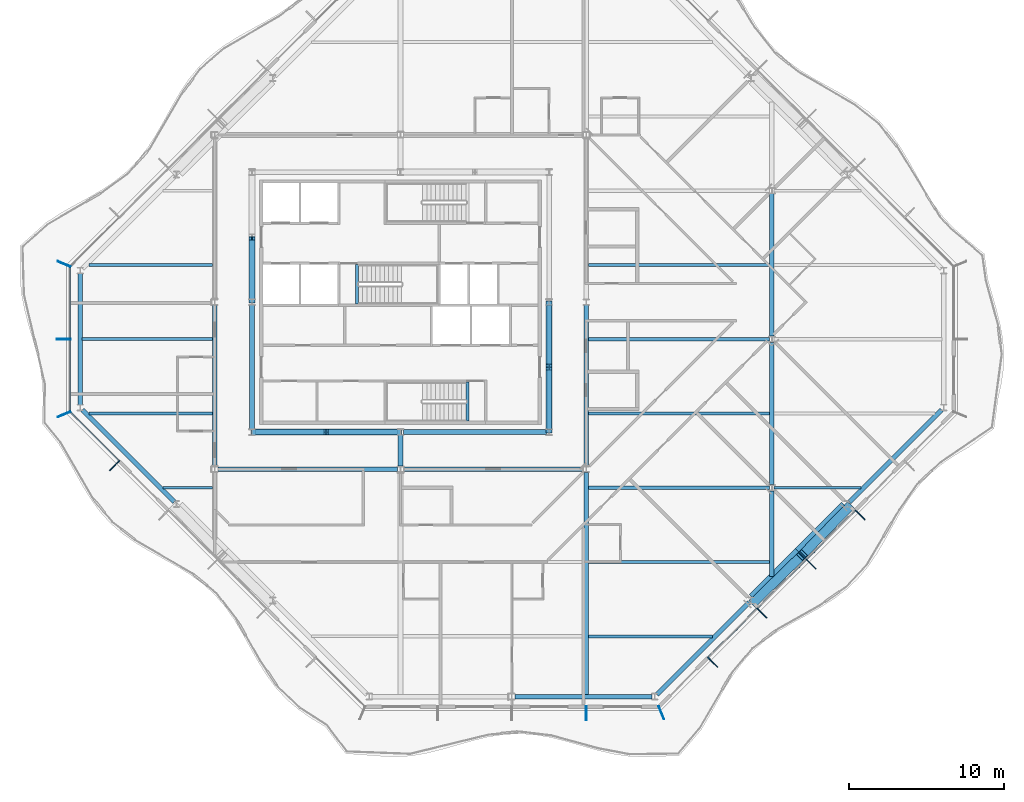
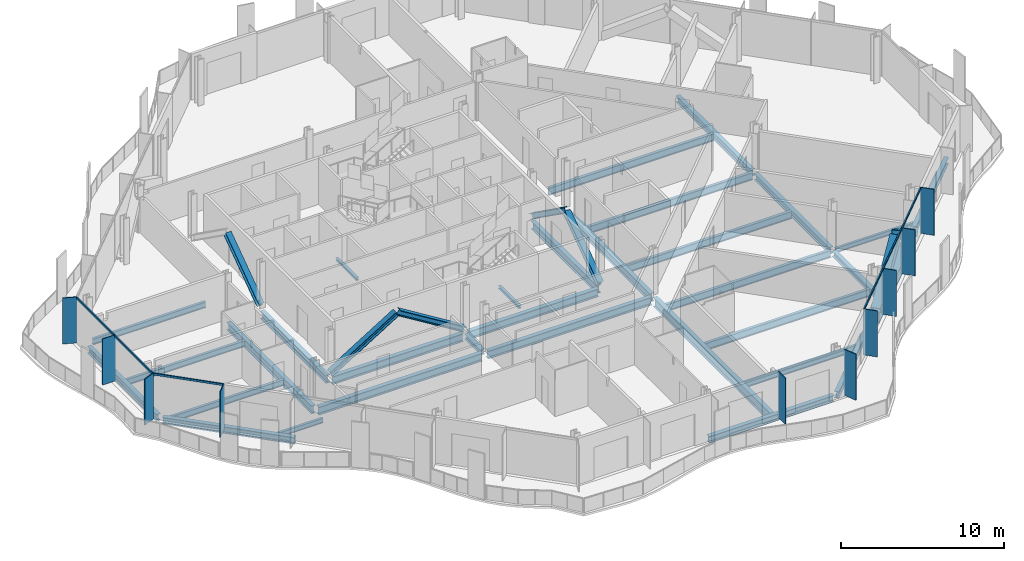
# One storey, part 3 of 17: 33 beams, 23 members, 4 elements without a shape of their own.
"""IFC4 building model written with IfcOpenShell, lengths in metres."""

from ifc_helpers import new_model, si_unit, direction, frame, origin, origin_2d, place, context, subcontext, project, spatial, rectangle, hollow_rectangle, i_section, extrude, material, material_profile, profile_set, type_object, element, aggregate, save


model = new_model("IFC4")

# Units and contexts
model_context = context("Model", 3, precision=1e-05, world=origin(), true_north=direction((0.0, 1.0)))
body_context = subcontext(model_context, "Body", "Model", "MODEL_VIEW")
ifc_project = project(units=[si_unit("LENGTHUNIT", "METRE"), si_unit("AREAUNIT", "SQUARE_METRE"), si_unit("VOLUMEUNIT", "CUBIC_METRE"), si_unit("PLANEANGLEUNIT", "RADIAN"), si_unit("MASSUNIT", "GRAM", prefix="KILO")], contexts=[model_context])

# Site, building, storey
site_placement = place(None, origin())
site = spatial("IfcSite", under=ifc_project, at=site_placement, CompositionType="ELEMENT")
building_placement = place(site_placement, origin())
building = spatial("IfcBuilding", under=site, at=building_placement, Name="Cairn Pilgrim Tower", CompositionType="ELEMENT")
storey_placement = place(building_placement, frame((0.0, 0.0, 225.0)))
storey = spatial("IfcBuildingStorey", under=building, at=storey_placement, Name="L57", CompositionType="ELEMENT", Elevation=225.0)

# Members
ifc_material_1 = material(Name="Structural steel S460M", Category="steel")
ifc_material_profile_1 = material_profile(ifc_material_1, hollow_rectangle(XDim=0.60009765625, YDim=0.60009765625, WallThickness=0.034912109375, at=origin_2d()), Name="BOX 600x600x35")
ifc_profile_set_1 = profile_set([ifc_material_profile_1], Name="Structural steel S460M")
member_type_1 = type_object("IfcMemberType", Name="BOX 600x600x35 BRACE", PredefinedType="BRACE", material=ifc_profile_set_1)
for number, where, z_axis, x_axis, name in (
    (1, (30.02392578125, -17.00146484375, 0.14990234375), (0.609993709431, 0.59476326853, 0.523607036681), (-0.698111810848, 0.715988756584, 0.0), "XB-SE2-SE3-1"),
    (2, (36.201416015625, -10.823974609375, 0.14990234375), (-0.59476326853, -0.609993709431, 0.523607036681), (0.715988756584, -0.698111810848, 0.0), "XB-SE2-SE3-2"),
):
    element("IfcMember", number, at=place(storey_placement, frame(where, z_axis=z_axis, x_axis=x_axis)), inside=storey, type_object=member_type_1, Name=name, PredefinedType="BRACE", context=body_context, shape_type="SweptSolid", body=[
        extrude(hollow_rectangle(XDim=0.60009765625, YDim=0.60009765625, WallThickness=0.034912109375, at=origin_2d()), origin(), (0.0, 0.0, 1.0), 5.033447265625),
    ])

# Beams
ifc_material_2 = material(Name="Structural steel S355J2", Category="steel")
ifc_material_profile_2 = material_profile(ifc_material_2, hollow_rectangle(XDim=0.699951171875, YDim=0.800048828125, WallThickness=0.0400390625, at=origin_2d()), Name="BOX 700x800x40")
ifc_profile_set_2 = profile_set([ifc_material_profile_2], Name="Structural steel S355J2")
beam_type_1 = type_object("IfcBeamType", Name="BOX 700x800x40 RING GIRDER", PredefinedType="SPANDREL", material=ifc_profile_set_2)
beam_1_placement = place(storey_placement, frame((29.98388671875, -16.743408203125, -0.550048828125), z_axis=(0.707106781187, 0.707106781187, 0.0), x_axis=(-0.707106781187, 0.707106781187, 0.0)))
element("IfcBeam", 3, at=beam_1_placement, inside=storey, type_object=beam_type_1, Name="RG3-SE2-SE3-1", PredefinedType="SPANDREL", context=body_context, shape_type="SweptSolid", body=[
    extrude(hollow_rectangle(XDim=0.699951171875, YDim=0.800048828125, WallThickness=0.0400390625, at=origin_2d()), origin(), (0.0, 0.0, 1.0), 4.2138671875),
])
beam_2_placement = place(storey_placement, frame((32.963623046875, -13.763671875, -0.550048828125), z_axis=(0.707077813866, 0.707135747321, 0.0), x_axis=(-0.707135747321, 0.707077813866, 0.0)))
element("IfcBeam", 4, at=beam_2_placement, inside=storey, type_object=beam_type_1, Name="RG3-SE2-SE3-2", PredefinedType="SPANDREL", context=body_context, shape_type="SweptSolid", body=[
    extrude(hollow_rectangle(XDim=0.699951171875, YDim=0.800048828125, WallThickness=0.0400390625, at=origin_2d()), origin(), (0.0, 0.0, 1.0), 4.214111328125),
])

# Curtain wall, member
ifc_material_3 = material(Name="Aluminium alloy 6063-T6 bronze anodised with Bronze tinted laminated low-E glass 8+16+8.8", Category="aluminium")
curtain_wall_type_1 = type_object("IfcCurtainWallType", Name="TOWER STICK CURTAIN WALL NS", PredefinedType="NOTDEFINED", material=ifc_material_3)
curtain_wall_1_placement = place(storey_placement, origin())
curtain_wall_1 = element("IfcCurtainWall", 5, at=curtain_wall_1_placement, inside=storey, type_object=curtain_wall_type_1, Name="Tower Stick Curtain Wall Ns S", PredefinedType="NOTDEFINED")
ifc_material_4 = material(Name="Aluminium alloy 6063-T6 bronze anodised", Category="aluminium")
ifc_material_profile_3 = material_profile(ifc_material_4, rectangle(XDim=0.89990234375, YDim=0.06005859375, at=origin_2d()), Name="FIN MULLION 60x900 BRONZE")
ifc_profile_set_3 = profile_set([ifc_material_profile_3], Name="Aluminium alloy 6063-T6 bronze anodised")
member_type_2 = type_object("IfcMemberType", Name="FIN MULLION 60x900 BRONZE", PredefinedType="MULLION", material=ifc_profile_set_3)
member_1_placement = place(storey_placement, frame((19.199951171875, -24.169921875, 0.0), z_axis=(0.0, 0.0, 1.0), x_axis=(0.0, -1.0, 0.0)))
member_1 = element("IfcMember", 6, at=member_1_placement, type_object=member_type_2, Name="Fin mullion S4", PredefinedType="MULLION", context=body_context, shape_type="SweptSolid", body=[
    extrude(rectangle(XDim=0.89990234375, YDim=0.06005859375, at=origin_2d()), origin(), (0.0, 0.0, 1.0), 3.449951171875),
])
aggregate(curtain_wall_1, [member_1])

# Curtain wall, members
curtain_wall_type_2 = type_object("IfcCurtainWallType", Name="CHAMFER CORNER CURTAIN WALL", PredefinedType="NOTDEFINED", material=ifc_material_3)
curtain_wall_2_placement = place(storey_placement, origin())
curtain_wall_2 = element("IfcCurtainWall", 7, at=curtain_wall_2_placement, inside=storey, type_object=curtain_wall_type_2, Name="Chamfer Corner Curtain Wall SE", PredefinedType="NOTDEFINED")
member_2_placement = place(storey_placement, frame((24.05712890625, -24.137939453125, 0.0), z_axis=(0.0, 0.0, 1.0), x_axis=(0.382683432365, -0.923879532511, 0.0)))
member_2 = element("IfcMember", 8, at=member_2_placement, type_object=member_type_2, Name="Fin mullion SE1", PredefinedType="MULLION", context=body_context, shape_type="SweptSolid", body=[
    extrude(rectangle(XDim=0.89990234375, YDim=0.06005859375, at=origin_2d()), origin(), (0.0, 0.0, 1.0), 3.449951171875),
])
member_3_placement = place(storey_placement, frame((27.369140625, -20.871337890625, 0.0), z_axis=(0.0, 0.0, 1.0), x_axis=(0.707106781187, -0.707106781187, 0.0)))
member_3 = element("IfcMember", 9, at=member_3_placement, type_object=member_type_2, Name="Fin mullion SE2", PredefinedType="MULLION", context=body_context, shape_type="SweptSolid", body=[
    extrude(rectangle(XDim=0.89990234375, YDim=0.06005859375, at=origin_2d()), origin(), (0.0, 0.0, 1.0), 3.449951171875),
])
member_4_placement = place(storey_placement, frame((30.544677734375, -17.69580078125, 0.0), z_axis=(0.0, 0.0, 1.0), x_axis=(0.707106781187, -0.707106781187, 0.0)))
member_4 = element("IfcMember", 10, at=member_4_placement, type_object=member_type_2, Name="Fin mullion SE3", PredefinedType="MULLION", context=body_context, shape_type="SweptSolid", body=[
    extrude(rectangle(XDim=0.89990234375, YDim=0.06005859375, at=origin_2d()), origin(), (0.0, 0.0, 1.0), 3.449951171875),
])
member_5_placement = place(storey_placement, frame((33.72021484375, -14.520263671875, 0.0), z_axis=(0.0, 0.0, 1.0), x_axis=(0.707106781187, -0.707106781187, 0.0)))
member_5 = element("IfcMember", 11, at=member_5_placement, type_object=member_type_2, Name="Fin mullion SE4", PredefinedType="MULLION", context=body_context, shape_type="SweptSolid", body=[
    extrude(rectangle(XDim=0.89990234375, YDim=0.06005859375, at=origin_2d()), origin(), (0.0, 0.0, 1.0), 3.449951171875),
])
member_6_placement = place(storey_placement, frame((36.895751953125, -11.3447265625, 0.0), z_axis=(0.0, 0.0, 1.0), x_axis=(0.707106781187, -0.707106781187, 0.0)))
member_6 = element("IfcMember", 12, at=member_6_placement, type_object=member_type_2, Name="Fin mullion SE5", PredefinedType="MULLION", context=body_context, shape_type="SweptSolid", body=[
    extrude(rectangle(XDim=0.89990234375, YDim=0.06005859375, at=origin_2d()), origin(), (0.0, 0.0, 1.0), 3.449951171875),
])

curtain_wall_type_3 = type_object("IfcCurtainWallType", Name="TOWER STICK CURTAIN WALL EW", PredefinedType="NOTDEFINED", material=ifc_material_3)
curtain_wall_3_placement = place(storey_placement, origin())
curtain_wall_3 = element("IfcCurtainWall", 13, at=curtain_wall_3_placement, inside=storey, type_object=curtain_wall_type_3, Name="Tower Stick Curtain Wall Ew W", PredefinedType="NOTDEFINED")
member_7_placement = place(storey_placement, frame((-14.5380859375, 4.857177734375, 0.0), z_axis=(0.0, 0.0, 1.0), x_axis=(-0.923879532511, 0.382683432365, 0.0)))
member_7 = element("IfcMember", 14, at=member_7_placement, type_object=member_type_2, Name="Fin mullion W1", PredefinedType="MULLION", context=body_context, shape_type="SweptSolid", body=[
    extrude(rectangle(XDim=0.89990234375, YDim=0.06005859375, at=origin_2d()), origin(), (0.0, 0.0, 1.0), 3.449951171875),
])
member_8_placement = place(storey_placement, frame((-14.570068359375, 0.0, 0.0), z_axis=(0.0, 0.0, 1.0), x_axis=(-1.0, 0.0, 0.0)))
member_8 = element("IfcMember", 15, at=member_8_placement, type_object=member_type_2, Name="Fin mullion W2", PredefinedType="MULLION", context=body_context, shape_type="SweptSolid", body=[
    extrude(rectangle(XDim=0.89990234375, YDim=0.06005859375, at=origin_2d()), origin(), (0.0, 0.0, 1.0), 3.449951171875),
])

curtain_wall_4_placement = place(storey_placement, origin())
curtain_wall_4 = element("IfcCurtainWall", 16, at=curtain_wall_4_placement, inside=storey, type_object=curtain_wall_type_2, Name="Chamfer Corner Curtain Wall SW", PredefinedType="NOTDEFINED")
member_9_placement = place(storey_placement, frame((-14.5380859375, -4.857177734375, 0.0), z_axis=(0.0, 0.0, 1.0), x_axis=(-0.923879532511, -0.382683432365, 0.0)))
member_9 = element("IfcMember", 17, at=member_9_placement, type_object=member_type_2, Name="Fin mullion SW1", PredefinedType="MULLION", context=body_context, shape_type="SweptSolid", body=[
    extrude(rectangle(XDim=0.89990234375, YDim=0.06005859375, at=origin_2d()), origin(), (0.0, 0.0, 1.0), 3.449951171875),
])
member_10_placement = place(storey_placement, frame((-11.271484375, -8.1689453125, 0.0), z_axis=(0.0, 0.0, 1.0), x_axis=(-0.707106781187, -0.707106781187, 0.0)))
member_10 = element("IfcMember", 18, at=member_10_placement, type_object=member_type_2, Name="Fin mullion SW2", PredefinedType="MULLION", context=body_context, shape_type="SweptSolid", body=[
    extrude(rectangle(XDim=0.89990234375, YDim=0.06005859375, at=origin_2d()), origin(), (0.0, 0.0, 1.0), 3.449951171875),
])

# Members
ifc_material_profile_4 = material_profile(ifc_material_2, i_section(OverallWidth=0.39794921875, OverallDepth=0.386962890625, WebThickness=0.02099609375, FlangeThickness=0.033203125, FilletRadius=0.014892578125, at=origin_2d()), Name="HD 400x262")
ifc_profile_set_4 = profile_set([ifc_material_profile_4], Name="Structural steel S355J2")
member_type_3 = type_object("IfcMemberType", Name="HD 400x262 BRACE", PredefinedType="BRACE", material=ifc_profile_set_4)
member_11_placement = place(storey_placement, frame((-2.359619140625, -6.0, 0.10009765625), z_axis=(0.851180404412, 0.0, 0.524873241025), x_axis=(0.0, 1.0, 0.0)))
element("IfcMember", 19, at=member_11_placement, inside=storey, type_object=member_type_3, Name="KB-1A", PredefinedType="BRACE", context=body_context, shape_type="SweptSolid", body=[
    extrude(i_section(OverallWidth=0.39794921875, OverallDepth=0.386962890625, WebThickness=0.02099609375, FlangeThickness=0.033203125, FilletRadius=0.014892578125, at=origin_2d()), origin(), (0.0, 0.0, 1.0), 5.529052734375),
])
member_12_placement = place(storey_placement, frame((7.15966796875, -6.0, 0.10009765625), z_axis=(-0.851192568136, 0.0, 0.524853514754), x_axis=(0.0, -1.0, 0.0)))
element("IfcMember", 20, at=member_12_placement, inside=storey, type_object=member_type_3, Name="KB-1B", PredefinedType="BRACE", context=body_context, shape_type="SweptSolid", body=[
    extrude(i_section(OverallWidth=0.39794921875, OverallDepth=0.386962890625, WebThickness=0.02099609375, FlangeThickness=0.033203125, FilletRadius=0.014892578125, at=origin_2d()), origin(), (0.0, 0.0, 1.0), 5.529296875),
])
member_13_placement = place(storey_placement, frame((16.800048828125, -5.959716796875, 0.10009765625), z_axis=(0.0, 0.814429122825, 0.580263047155), x_axis=(-1.0, 0.0, 0.0)))
element("IfcMember", 21, at=member_13_placement, inside=storey, type_object=member_type_3, Name="KB-2A", PredefinedType="BRACE", context=body_context, shape_type="SweptSolid", body=[
    extrude(i_section(OverallWidth=0.39794921875, OverallDepth=0.386962890625, WebThickness=0.02099609375, FlangeThickness=0.033203125, FilletRadius=0.014892578125, at=origin_2d()), origin(), (0.0, 0.0, 1.0), 4.999267578125),
])
for number, where, z_axis, x_axis, name in (
    (22, (16.800048828125, 2.359619140625, 0.10009765625), (0.0, -0.814412678688, 0.580286126659), (1.0, 0.0, 0.0), "KB-2B"),
    (23, (-2.39990234375, 2.4404296875, 0.10009765625), (0.0, 0.814412678688, 0.580286126659), (-1.0, 0.0, 0.0), "KB-4B"),
):
    element("IfcMember", number, at=place(storey_placement, frame(where, z_axis=z_axis, x_axis=x_axis)), inside=storey, type_object=member_type_3, Name=name, PredefinedType="BRACE", context=body_context, shape_type="SweptSolid", body=[
        extrude(i_section(OverallWidth=0.39794921875, OverallDepth=0.386962890625, WebThickness=0.02099609375, FlangeThickness=0.033203125, FilletRadius=0.014892578125, at=origin_2d()), origin(), (0.0, 0.0, 1.0), 4.9990234375),
    ])

# Beams
ifc_material_profile_5 = material_profile(ifc_material_2, i_section(OverallWidth=0.300048828125, OverallDepth=0.39990234375, WebThickness=0.013427734375, FlangeThickness=0.02392578125, FilletRadius=0.027099609375, at=origin_2d()), Name="HEB 400")
ifc_profile_set_5 = profile_set([ifc_material_profile_5], Name="Structural steel S355J2")
beam_type_2 = type_object("IfcBeamType", Name="HEB 400 GIRDER", PredefinedType="BEAM", material=ifc_profile_set_5)
beam_3_placement = place(storey_placement, frame((7.199951171875, -8.200439453125, -0.35009765625), z_axis=(0.0, 1.0, 0.0), x_axis=(-1.0, 0.0, 0.0)))
element("IfcBeam", 24, at=beam_3_placement, inside=storey, type_object=beam_type_2, Name="PG3-E1", PredefinedType="BEAM", context=body_context, shape_type="SweptSolid", body=[
    extrude(i_section(OverallWidth=0.300048828125, OverallDepth=0.39990234375, WebThickness=0.013427734375, FlangeThickness=0.02392578125, FilletRadius=0.027099609375, at=origin_2d()), origin(), (0.0, 0.0, 1.0), 1.99853515625),
])
beam_4_placement = place(storey_placement, frame((31.199951171875, -15.34521484375, -0.35009765625), z_axis=(0.0, 1.0, 0.0), x_axis=(-1.0, 0.0, 0.0)))
element("IfcBeam", 25, at=beam_4_placement, inside=storey, type_object=beam_type_2, Name="PG5-1", PredefinedType="BEAM", context=body_context, shape_type="SweptSolid", body=[
    extrude(i_section(OverallWidth=0.300048828125, OverallDepth=0.39990234375, WebThickness=0.013427734375, FlangeThickness=0.02392578125, FilletRadius=0.027099609375, at=origin_2d()), origin(), (0.0, 0.0, 1.0), 5.545654296875),
])
ifc_material_profile_6 = material_profile(ifc_material_2, i_section(OverallWidth=0.300048828125, OverallDepth=0.5, WebThickness=0.014404296875, FlangeThickness=0.028076171875, FilletRadius=0.027099609375, at=origin_2d()), Name="HEB 500")
ifc_profile_set_6 = profile_set([ifc_material_profile_6], Name="Structural steel S355J2")
beam_type_3 = type_object("IfcBeamType", Name="HEB 500 GIRDER", PredefinedType="BEAM", material=ifc_profile_set_6)
for number, where, z_axis, x_axis, name in (
    (26, (31.199951171875, -9.400390625, -0.39990234375), (0.0, 1.0, 0.0), (-1.0, 0.0, 0.0), "PG5-2"),
    (27, (31.199951171875, 0.199462890625, -0.39990234375), (0.0, 1.0, 0.0), (-1.0, 0.0, 0.0), "PG5-3"),
):
    element("IfcBeam", number, at=place(storey_placement, frame(where, z_axis=z_axis, x_axis=x_axis)), inside=storey, type_object=beam_type_3, Name=name, PredefinedType="BEAM", context=body_context, shape_type="SweptSolid", body=[
        extrude(i_section(OverallWidth=0.300048828125, OverallDepth=0.5, WebThickness=0.014404296875, FlangeThickness=0.028076171875, FilletRadius=0.027099609375, at=origin_2d()), origin(), (0.0, 0.0, 1.0), 9.200927734375),
    ])
ifc_material_profile_7 = material_profile(ifc_material_2, i_section(OverallWidth=0.300048828125, OverallDepth=0.5, WebThickness=0.014404296875, FlangeThickness=0.028076171875, FilletRadius=0.027099609375, at=origin_2d()), Name="HEB 500")
ifc_profile_set_7 = profile_set([ifc_material_profile_7], Name="Structural steel S355J2")
beam_type_4 = type_object("IfcBeamType", Name="HEB 500 RING GIRDER", PredefinedType="SPANDREL", material=ifc_profile_set_7)
beam_5_placement = place(storey_placement, frame((14.587158203125, -23.10009765625, -0.39990234375), z_axis=(1.0, 0.0, 0.0), x_axis=(0.0, 1.0, 0.0)))
element("IfcBeam", 28, at=beam_5_placement, inside=storey, type_object=beam_type_4, Name="RG3-S2-SE1", PredefinedType="SPANDREL", context=body_context, shape_type="SweptSolid", body=[
    extrude(i_section(OverallWidth=0.300048828125, OverallDepth=0.5, WebThickness=0.014404296875, FlangeThickness=0.028076171875, FilletRadius=0.027099609375, at=origin_2d()), origin(), (0.0, 0.0, 1.0), 8.852783203125),
])
for number, where, z_axis, x_axis, name in (
    (29, (23.759521484375, -22.967529296875, -0.39990234375), (0.707106781187, 0.707106781187, 0.0), (-0.707106781187, 0.707106781187, 0.0), "RG3-SE1-SE2"),
    (30, (36.2080078125, -10.51904296875, -0.39990234375), (0.707106781187, 0.707106781187, 0.0), (-0.707106781187, 0.707106781187, 0.0), "RG3-SE3-E1"),
):
    element("IfcBeam", number, at=place(storey_placement, frame(where, z_axis=z_axis, x_axis=x_axis)), inside=storey, type_object=beam_type_4, Name=name, PredefinedType="SPANDREL", context=body_context, shape_type="SweptSolid", body=[
        extrude(i_section(OverallWidth=0.300048828125, OverallDepth=0.5, WebThickness=0.014404296875, FlangeThickness=0.028076171875, FilletRadius=0.027099609375, at=origin_2d()), origin(), (0.0, 0.0, 1.0), 8.427978515625),
    ])
beam_6_placement = place(storey_placement, frame((-13.5, 4.239990234375, -0.39990234375), z_axis=(0.0, -1.0, 0.0), x_axis=(1.0, 0.0, 0.0)))
element("IfcBeam", 31, at=beam_6_placement, inside=storey, type_object=beam_type_4, Name="RG3-W1-SW1", PredefinedType="SPANDREL", context=body_context, shape_type="SweptSolid", body=[
    extrude(i_section(OverallWidth=0.300048828125, OverallDepth=0.5, WebThickness=0.014404296875, FlangeThickness=0.028076171875, FilletRadius=0.027099609375, at=origin_2d()), origin(), (0.0, 0.0, 1.0), 8.47998046875),
])
beam_7_placement = place(storey_placement, frame((-13.36767578125, -4.5595703125, -0.39990234375), z_axis=(0.707106781187, -0.707106781187, 0.0), x_axis=(0.707106781187, 0.707106781187, 0.0)))
element("IfcBeam", 32, at=beam_7_placement, inside=storey, type_object=beam_type_4, Name="RG3-SW1-SW2", PredefinedType="SPANDREL", context=body_context, shape_type="SweptSolid", body=[
    extrude(i_section(OverallWidth=0.300048828125, OverallDepth=0.5, WebThickness=0.014404296875, FlangeThickness=0.028076171875, FilletRadius=0.027099609375, at=origin_2d()), origin(), (0.0, 0.0, 1.0), 8.427978515625),
])
ifc_material_profile_8 = material_profile(ifc_material_2, i_section(OverallWidth=0.300048828125, OverallDepth=0.60009765625, WebThickness=0.015380859375, FlangeThickness=0.030029296875, FilletRadius=0.027099609375, at=origin_2d()), Name="HEB 600")
ifc_profile_set_8 = profile_set([ifc_material_profile_8], Name="Structural steel S355J2")
beam_type_5 = type_object("IfcBeamType", Name="HEB 600 CORE BEAM", PredefinedType="BEAM", material=ifc_profile_set_8)
beam_8_placement = place(storey_placement, frame((-2.21826171875, -6.0, -0.449951171875), z_axis=(1.0, 0.0, 0.0), x_axis=(0.0, 1.0, 0.0)))
element("IfcBeam", 33, at=beam_8_placement, inside=storey, type_object=beam_type_5, Name="CB-1", PredefinedType="BEAM", context=body_context, shape_type="SweptSolid", body=[
    extrude(i_section(OverallWidth=0.300048828125, OverallDepth=0.60009765625, WebThickness=0.015380859375, FlangeThickness=0.030029296875, FilletRadius=0.027099609375, at=origin_2d()), origin(), (0.0, 0.0, 1.0), 9.236572265625),
])
beam_9_placement = place(storey_placement, frame((7.3818359375, -6.0, -0.449951171875), z_axis=(1.0, 0.0, 0.0), x_axis=(0.0, 1.0, 0.0)))
element("IfcBeam", 34, at=beam_9_placement, inside=storey, type_object=beam_type_5, Name="CB-2", PredefinedType="BEAM", context=body_context, shape_type="SweptSolid", body=[
    extrude(i_section(OverallWidth=0.300048828125, OverallDepth=0.60009765625, WebThickness=0.015380859375, FlangeThickness=0.030029296875, FilletRadius=0.027099609375, at=origin_2d()), origin(), (0.0, 0.0, 1.0), 9.236328125),
])
for number, where, z_axis, x_axis, name in (
    (35, (16.800048828125, -5.818115234375, -0.449951171875), (0.0, 1.0, 0.0), (-1.0, 0.0, 0.0), "CB-3"),
    (36, (-2.39990234375, 2.21826171875, -0.449951171875), (0.0, -1.0, 0.0), (1.0, 0.0, 0.0), "CB-8"),
):
    element("IfcBeam", number, at=place(storey_placement, frame(where, z_axis=z_axis, x_axis=x_axis)), inside=storey, type_object=beam_type_5, Name=name, PredefinedType="BEAM", context=body_context, shape_type="SweptSolid", body=[
        extrude(i_section(OverallWidth=0.300048828125, OverallDepth=0.60009765625, WebThickness=0.015380859375, FlangeThickness=0.030029296875, FilletRadius=0.027099609375, at=origin_2d()), origin(), (0.0, 0.0, 1.0), 8.036376953125),
    ])
ifc_material_profile_9 = material_profile(ifc_material_2, i_section(OverallWidth=0.300048828125, OverallDepth=0.60009765625, WebThickness=0.015380859375, FlangeThickness=0.030029296875, FilletRadius=0.027099609375, at=origin_2d()), Name="HEB 600")
ifc_profile_set_9 = profile_set([ifc_material_profile_9], Name="Structural steel S355J2")
beam_type_6 = type_object("IfcBeamType", Name="HEB 600 GIRDER", PredefinedType="BEAM", material=ifc_profile_set_9)
for number, where, z_axis, x_axis, name in (
    (37, (-4.800048828125, -8.200439453125, -0.449951171875), (0.0, 1.0, 0.0), (-1.0, 0.0, 0.0), "PG2-2"),
    (38, (19.199951171875, -8.200439453125, -0.449951171875), (0.0, 1.0, 0.0), (-1.0, 0.0, 0.0), "PG4-2"),
):
    element("IfcBeam", number, at=place(storey_placement, frame(where, z_axis=z_axis, x_axis=x_axis)), inside=storey, type_object=beam_type_6, Name=name, PredefinedType="BEAM", context=body_context, shape_type="SweptSolid", body=[
        extrude(i_section(OverallWidth=0.300048828125, OverallDepth=0.60009765625, WebThickness=0.015380859375, FlangeThickness=0.030029296875, FilletRadius=0.027099609375, at=origin_2d()), origin(), (0.0, 0.0, 1.0), 10.40087890625),
    ])
ifc_material_profile_10 = material_profile(ifc_material_2, i_section(OverallWidth=0.300048828125, OverallDepth=0.60009765625, WebThickness=0.015380859375, FlangeThickness=0.030029296875, FilletRadius=0.027099609375, at=origin_2d()), Name="HEB 600")
ifc_profile_set_10 = profile_set([ifc_material_profile_10], Name="Structural steel S355J2")
beam_type_7 = type_object("IfcBeamType", Name="HEB 600 INNER GIRDER", PredefinedType="BEAM", material=ifc_profile_set_10)
for number, where, z_axis, x_axis, name in (
    (39, (-4.6005859375, -8.39990234375, -0.449951171875), (1.0, 0.0, 0.0), (0.0, 1.0, 0.0), "IG1-1"),
    (40, (7.3994140625, -8.39990234375, -0.449951171875), (1.0, 0.0, 0.0), (0.0, 1.0, 0.0), "IG1-2"),
):
    element("IfcBeam", number, at=place(storey_placement, frame(where, z_axis=z_axis, x_axis=x_axis)), inside=storey, type_object=beam_type_7, Name=name, PredefinedType="BEAM", context=body_context, shape_type="SweptSolid", body=[
        extrude(i_section(OverallWidth=0.300048828125, OverallDepth=0.60009765625, WebThickness=0.015380859375, FlangeThickness=0.030029296875, FilletRadius=0.027099609375, at=origin_2d()), origin(), (0.0, 0.0, 1.0), 11.60107421875),
    ])
ifc_material_profile_11 = material_profile(ifc_material_2, i_section(OverallWidth=0.300048828125, OverallDepth=0.699951171875, WebThickness=0.01708984375, FlangeThickness=0.031982421875, FilletRadius=0.027099609375, at=origin_2d()), Name="HEB 700")
ifc_profile_set_11 = profile_set([ifc_material_profile_11], Name="Structural steel S355J2")
beam_type_8 = type_object("IfcBeamType", Name="HEB 700 GIRDER", PredefinedType="BEAM", material=ifc_profile_set_11)
beam_10_placement = place(storey_placement, frame((19.199951171875, -22.97998046875, -0.5), z_axis=(0.0, 1.0, 0.0), x_axis=(-1.0, 0.0, 0.0)))
element("IfcBeam", 41, at=beam_10_placement, inside=storey, type_object=beam_type_8, Name="PG4-1", PredefinedType="BEAM", context=body_context, shape_type="SweptSolid", body=[
    extrude(i_section(OverallWidth=0.300048828125, OverallDepth=0.699951171875, WebThickness=0.01708984375, FlangeThickness=0.031982421875, FilletRadius=0.027099609375, at=origin_2d()), origin(), (0.0, 0.0, 1.0), 14.38037109375),
])
ifc_material_profile_12 = material_profile(ifc_material_2, i_section(OverallWidth=0.169921875, OverallDepth=0.360107421875, WebThickness=0.008056640625, FlangeThickness=0.0126953125, FilletRadius=0.01806640625, at=origin_2d()), Name="IPE 360")
ifc_profile_set_12 = profile_set([ifc_material_profile_12], Name="Structural steel S355J2")
beam_type_9 = type_object("IfcBeamType", Name="IPE 360 SECONDARY BEAM", PredefinedType="JOIST", material=ifc_profile_set_12)
beam_11_placement = place(storey_placement, frame((-8.14501953125, -9.60009765625, -0.330078125), z_axis=(1.0, 0.0, 0.0), x_axis=(0.0, 1.0, 0.0)))
element("IfcBeam", 42, at=beam_11_placement, inside=storey, type_object=beam_type_9, Name="SB3-1", PredefinedType="JOIST", context=body_context, shape_type="SweptSolid", body=[
    extrude(i_section(OverallWidth=0.169921875, OverallDepth=0.360107421875, WebThickness=0.008056640625, FlangeThickness=0.0126953125, FilletRadius=0.01806640625, at=origin_2d()), origin(), (0.0, 0.0, 1.0), 3.195068359375),
])
beam_12_placement = place(storey_placement, frame((31.35009765625, -9.60009765625, -0.330078125), z_axis=(1.0, 0.0, 0.0), x_axis=(0.0, 1.0, 0.0)))
element("IfcBeam", 43, at=beam_12_placement, inside=storey, type_object=beam_type_9, Name="SB3-3", PredefinedType="JOIST", context=body_context, shape_type="SweptSolid", body=[
    extrude(i_section(OverallWidth=0.169921875, OverallDepth=0.360107421875, WebThickness=0.008056640625, FlangeThickness=0.0126953125, FilletRadius=0.01806640625, at=origin_2d()), origin(), (0.0, 0.0, 1.0), 5.594970703125),
])
ifc_material_profile_13 = material_profile(ifc_material_2, i_section(OverallWidth=0.18994140625, OverallDepth=0.449951171875, WebThickness=0.009521484375, FlangeThickness=0.0146484375, FilletRadius=0.02099609375, at=origin_2d()), Name="IPE 450")
ifc_profile_set_13 = profile_set([ifc_material_profile_13], Name="Structural steel S355J2")
beam_type_10 = type_object("IfcBeamType", Name="IPE 450 SECONDARY BEAM", PredefinedType="JOIST", material=ifc_profile_set_13)
for number, where, z_axis, x_axis, name in (
    (44, (19.35009765625, -19.199951171875, -0.375), (1.0, 0.0, 0.0), (0.0, 1.0, 0.0), "SB1-3"),
    (45, (-12.945068359375, -4.800048828125, -0.375), (1.0, 0.0, 0.0), (0.0, 1.0, 0.0), "SB4-1"),
):
    element("IfcBeam", number, at=place(storey_placement, frame(where, z_axis=z_axis, x_axis=x_axis)), inside=storey, type_object=beam_type_10, Name=name, PredefinedType="JOIST", context=body_context, shape_type="SweptSolid", body=[
        extrude(i_section(OverallWidth=0.18994140625, OverallDepth=0.449951171875, WebThickness=0.009521484375, FlangeThickness=0.0146484375, FilletRadius=0.02099609375, at=origin_2d()), origin(), (0.0, 0.0, 1.0), 7.9951171875),
    ])
beam_13_placement = place(storey_placement, frame((-13.3798828125, 0.0, -0.375), z_axis=(1.0, 0.0, 0.0), x_axis=(0.0, 1.0, 0.0)))
element("IfcBeam", 46, at=beam_13_placement, inside=storey, type_object=beam_type_10, Name="SB5-1", PredefinedType="JOIST", context=body_context, shape_type="SweptSolid", body=[
    extrude(i_section(OverallWidth=0.18994140625, OverallDepth=0.449951171875, WebThickness=0.009521484375, FlangeThickness=0.0146484375, FilletRadius=0.02099609375, at=origin_2d()), origin(), (0.0, 0.0, 1.0), 8.429931640625),
])
beam_14_placement = place(storey_placement, frame((-12.945068359375, 4.800048828125, -0.375), z_axis=(1.0, 0.0, 0.0), x_axis=(0.0, 1.0, 0.0)))
element("IfcBeam", 47, at=beam_14_placement, inside=storey, type_object=beam_type_10, Name="SB6-1", PredefinedType="JOIST", context=body_context, shape_type="SweptSolid", body=[
    extrude(i_section(OverallWidth=0.18994140625, OverallDepth=0.449951171875, WebThickness=0.009521484375, FlangeThickness=0.0146484375, FilletRadius=0.02099609375, at=origin_2d()), origin(), (0.0, 0.0, 1.0), 7.9951171875),
])
ifc_material_profile_14 = material_profile(ifc_material_2, i_section(OverallWidth=0.2099609375, OverallDepth=0.550048828125, WebThickness=0.010986328125, FlangeThickness=0.01708984375, FilletRadius=0.02392578125, at=origin_2d()), Name="IPE 550")
ifc_profile_set_14 = profile_set([ifc_material_profile_14], Name="Structural steel S355J2")
beam_type_11 = type_object("IfcBeamType", Name="IPE 550 SECONDARY BEAM", PredefinedType="JOIST", material=ifc_profile_set_14)
for number, where, z_axis, x_axis, name in (
    (48, (19.35009765625, -14.39990234375, -0.425048828125), (1.0, 0.0, 0.0), (0.0, 1.0, 0.0), "SB2-3"),
    (49, (19.35009765625, -9.60009765625, -0.425048828125), (1.0, 0.0, 0.0), (0.0, 1.0, 0.0), "SB3-2"),
    (50, (19.35009765625, -4.800048828125, -0.425048828125), (1.0, 0.0, 0.0), (0.0, 1.0, 0.0), "SB4-2"),
    (51, (19.35009765625, 0.0, -0.425048828125), (1.0, 0.0, 0.0), (0.0, 1.0, 0.0), "SB5-2"),
    (52, (19.35009765625, 4.800048828125, -0.425048828125), (1.0, 0.0, 0.0), (0.0, 1.0, 0.0), "SB6-2"),
):
    element("IfcBeam", number, at=place(storey_placement, frame(where, z_axis=z_axis, x_axis=x_axis)), inside=storey, type_object=beam_type_11, Name=name, PredefinedType="JOIST", context=body_context, shape_type="SweptSolid", body=[
        extrude(i_section(OverallWidth=0.2099609375, OverallDepth=0.550048828125, WebThickness=0.010986328125, FlangeThickness=0.01708984375, FilletRadius=0.02392578125, at=origin_2d()), origin(), (0.0, 0.0, 1.0), 11.699951171875),
    ])
ifc_material_profile_15 = material_profile(ifc_material_2, i_section(OverallWidth=0.199951171875, OverallDepth=0.199951171875, WebThickness=0.009033203125, FlangeThickness=0.014892578125, FilletRadius=0.01806640625, at=origin_2d()), Name="HE 200 B")
ifc_profile_set_15 = profile_set([ifc_material_profile_15], Name="Structural steel S355J2")
beam_type_12 = type_object("IfcBeamType", Name="STAIR LANDING BEAM HE 200 B", PredefinedType="BEAM", material=ifc_profile_set_15)
beam_15_placement = place(storey_placement, frame((11.5244140625, -2.77490234375, -0.25), z_axis=(0.0, -1.0, 0.0), x_axis=(1.0, 0.0, 0.0)))
element("IfcBeam", 53, at=beam_15_placement, inside=storey, type_object=beam_type_12, Name="STAIR LANDING BEAM LD-HE200B", PredefinedType="BEAM", context=body_context, shape_type="SweptSolid", body=[
    extrude(i_section(OverallWidth=0.199951171875, OverallDepth=0.199951171875, WebThickness=0.009033203125, FlangeThickness=0.014892578125, FilletRadius=0.01806640625, at=origin_2d()), origin(), (0.0, 0.0, 1.0), 2.525146484375),
])
beam_16_placement = place(storey_placement, frame((4.37548828125, 2.27490234375, -0.25), z_axis=(0.0, 1.0, 0.0), x_axis=(-1.0, 0.0, 0.0)))
element("IfcBeam", 54, at=beam_16_placement, inside=storey, type_object=beam_type_12, Name="STAIR LANDING BEAM LD-HE200B", PredefinedType="BEAM", context=body_context, shape_type="SweptSolid", body=[
    extrude(i_section(OverallWidth=0.199951171875, OverallDepth=0.199951171875, WebThickness=0.009033203125, FlangeThickness=0.014892578125, FilletRadius=0.01806640625, at=origin_2d()), origin(), (0.0, 0.0, 1.0), 2.550048828125),
])

# Member
ifc_material_profile_16 = material_profile(ifc_material_4, rectangle(XDim=0.080078125, YDim=0.14990234375, at=origin_2d()), Name="TRANSOM 80x150 BRONZE")
ifc_profile_set_16 = profile_set([ifc_material_profile_16], Name="Aluminium alloy 6063-T6 bronze anodised")
member_type_4 = type_object("IfcMemberType", Name="TRANSOM 80x150 BRONZE", PredefinedType="USERDEFINED", material=ifc_profile_set_16)
member_14_placement = place(storey_placement, frame((27.09326171875, -20.55322265625, 3.375), z_axis=(0.707079231393, 0.707134329907, 0.0), x_axis=(-0.707134329907, 0.707079231393, 0.0)))
member_14 = element("IfcMember", 55, at=member_14_placement, type_object=member_type_4, Name="Transom SE2", ObjectType="TRANSOM", PredefinedType="USERDEFINED", context=body_context, shape_type="SweptSolid", body=[
    extrude(rectangle(XDim=0.080078125, YDim=0.14990234375, at=origin_2d()), origin(), (0.0, 0.0, 1.0), 4.430908203125),
])

member_15_placement = place(storey_placement, frame((30.268798828125, -17.377685546875, 3.375), z_axis=(0.707106781187, 0.707106781187, 0.0), x_axis=(-0.707106781187, 0.707106781187, 0.0)))
member_15 = element("IfcMember", 56, at=member_15_placement, type_object=member_type_4, Name="Transom SE3", ObjectType="TRANSOM", PredefinedType="USERDEFINED", context=body_context, shape_type="SweptSolid", body=[
    extrude(rectangle(XDim=0.080078125, YDim=0.14990234375, at=origin_2d()), origin(), (0.0, 0.0, 1.0), 4.43115234375),
])

member_16_placement = place(storey_placement, frame((33.4443359375, -14.201904296875, 3.375), z_axis=(0.707134329907, 0.707079231393, 0.0), x_axis=(-0.707079231393, 0.707134329907, 0.0)))
member_16 = element("IfcMember", 57, at=member_16_placement, type_object=member_type_4, Name="Transom SE4", ObjectType="TRANSOM", PredefinedType="USERDEFINED", context=body_context, shape_type="SweptSolid", body=[
    extrude(rectangle(XDim=0.080078125, YDim=0.14990234375, at=origin_2d()), origin(), (0.0, 0.0, 1.0), 4.430908203125),
])

aggregate(curtain_wall_2, [member_2, member_3, member_4, member_5, member_6, member_14, member_15, member_16])

member_17_placement = place(storey_placement, frame((-14.14990234375, 4.656494140625, 3.375), z_axis=(0.0, -1.0, 0.0), x_axis=(1.0, 0.0, 0.0)))
member_17 = element("IfcMember", 58, at=member_17_placement, type_object=member_type_4, Name="Transom W1", ObjectType="TRANSOM", PredefinedType="USERDEFINED", context=body_context, shape_type="SweptSolid", body=[
    extrude(rectangle(XDim=0.080078125, YDim=0.14990234375, at=origin_2d()), origin(), (0.0, 0.0, 1.0), 4.62646484375),
])

member_18_placement = place(storey_placement, frame((-14.14990234375, -0.030029296875, 3.375), z_axis=(0.0, -1.0, 0.0), x_axis=(1.0, 0.0, 0.0)))
member_18 = element("IfcMember", 59, at=member_18_placement, type_object=member_type_4, Name="Transom W2", ObjectType="TRANSOM", PredefinedType="USERDEFINED", context=body_context, shape_type="SweptSolid", body=[
    extrude(rectangle(XDim=0.080078125, YDim=0.14990234375, at=origin_2d()), origin(), (0.0, 0.0, 1.0), 4.62646484375),
])

aggregate(curtain_wall_3, [member_7, member_8, member_17, member_18])

member_19_placement = place(storey_placement, frame((-14.121826171875, -4.724609375, 3.375), z_axis=(0.707106781187, -0.707106781187, 0.0), x_axis=(0.707106781187, 0.707106781187, 0.0)))
member_19 = element("IfcMember", 60, at=member_19_placement, type_object=member_type_4, Name="Transom SW1", ObjectType="TRANSOM", PredefinedType="USERDEFINED", context=body_context, shape_type="SweptSolid", body=[
    extrude(rectangle(XDim=0.080078125, YDim=0.14990234375, at=origin_2d()), origin(), (0.0, 0.0, 1.0), 4.421142578125),
])

aggregate(curtain_wall_4, [member_9, member_10, member_19])

save(model, "model.ifc")
